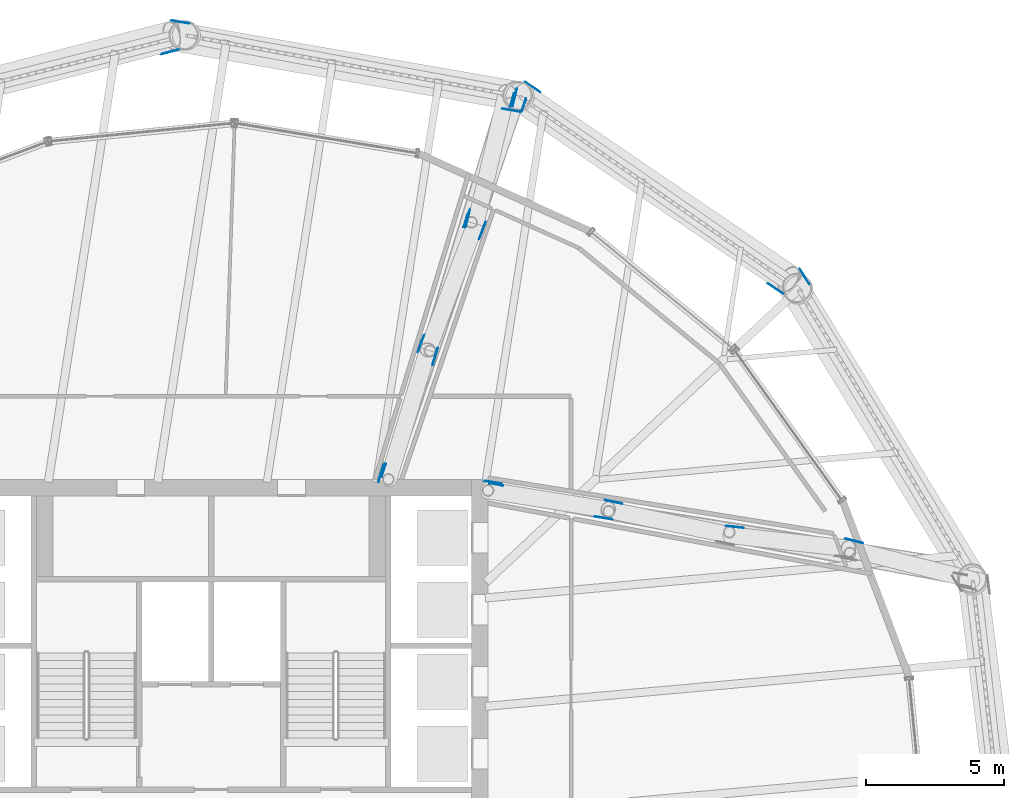
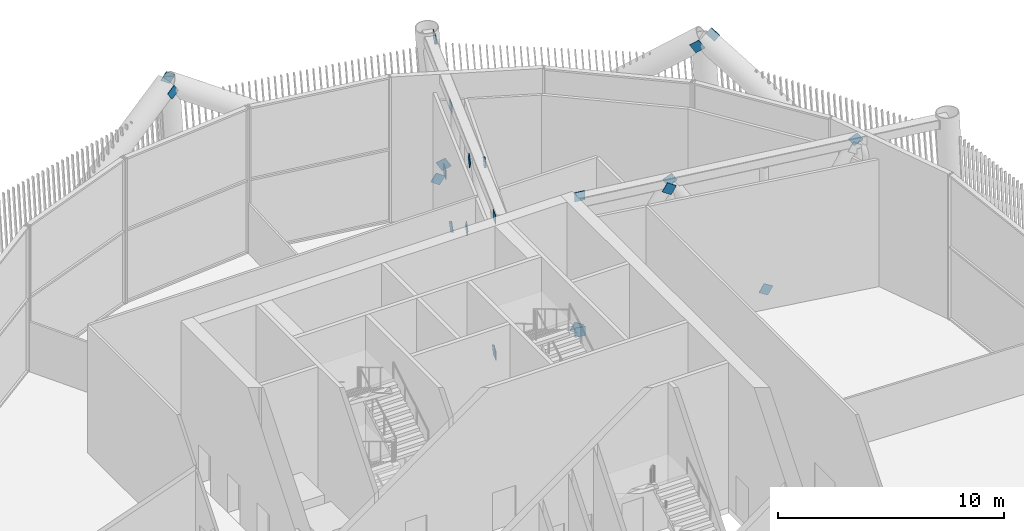
# One storey, part 43 of 55: 24 discrete accessories.
"""IFC4 building model written with IfcOpenShell, lengths in metres."""

from ifc_helpers import new_model, si_unit, direction, frame, origin, origin_2d, place, context, subcontext, project, spatial, rectangle, extrude, material, material_profile, profile_set, type_object, element, save


model = new_model("IFC4")

# Units and contexts
model_context = context("Model", 3, precision=1e-05, world=origin(), true_north=direction((0.0, 1.0)))
body_context = subcontext(model_context, "Body", "Model", "MODEL_VIEW")
ifc_project = project(units=[si_unit("LENGTHUNIT", "METRE"), si_unit("AREAUNIT", "SQUARE_METRE"), si_unit("VOLUMEUNIT", "CUBIC_METRE"), si_unit("PLANEANGLEUNIT", "RADIAN"), si_unit("MASSUNIT", "GRAM", prefix="KILO")], contexts=[model_context])

# Site, building, storey
site_placement = place(None, origin())
site = spatial("IfcSite", under=ifc_project, at=site_placement, CompositionType="ELEMENT")
building_placement = place(site_placement, origin())
building = spatial("IfcBuilding", under=site, at=building_placement, Name="Tarsis Ring Headquarters", CompositionType="ELEMENT")
storey_placement = place(building_placement, frame((0.0, 0.0, 247.199951171875)))
storey = spatial("IfcBuildingStorey", under=building, at=storey_placement, Name="L58", CompositionType="ELEMENT", Elevation=247.199951171875)

# Discrete accessories
ifc_material = material(Name="Structural steel S355", Category="steel")
ifc_material_profile = material_profile(ifc_material, rectangle(XDim=0.02490234375, YDim=0.5, at=origin_2d()), Name="PL 25x500")
ifc_profile_set = profile_set([ifc_material_profile], Name="Structural steel S355")
discrete_accessory_type_1 = type_object("IfcDiscreteAccessoryType", Name="Gusset plate Belt truss 25", PredefinedType="BRACKET", material=ifc_profile_set)
for number, where, z_axis, x_axis, name in (
    (1, (21.319091796875, 20.50732421875, 8.0), (0.441839651069, -0.722566501196, -0.53167224311), (0.853139309653, 0.521683158943, 0.0), "Gusset plate GP4"),
    (2, (11.44091796875, 27.281494140625, 0.0), (0.683478958489, -0.464765691772, 0.562893742241), (0.562310021407, 0.82692650207, 0.0), "Gusset plate GP4"),
    (3, (20.546630859375, 19.77099609375, 8.0), (-0.683926733431, 0.46473822286, -0.562372303293), (-0.562035473252, -0.827113128179, 0.0), "Gusset plate GP4"),
    (4, (11.04052734375, 26.292236328125, 0.0), (-0.834422226037, 0.145010767193, 0.531706146375), (-0.171219527347, -0.985232903153, 0.0), "Gusset plate GP4"),
):
    element("IfcDiscreteAccessory", number, at=place(storey_placement, frame(where, z_axis=z_axis, x_axis=x_axis)), inside=storey, type_object=discrete_accessory_type_1, Name=name, PredefinedType="BRACKET", context=body_context, shape_type="SweptSolid", body=[
        extrude(rectangle(XDim=0.02490234375, YDim=0.5, at=origin_2d()), origin(), (0.0, 0.0, 1.0), 0.5),
    ])
discrete_accessory_1_placement = place(storey_placement, frame((-1.327880859375, 29.551513671875, 8.0), z_axis=(0.834273834001, -0.145069864577, -0.531922836784), x_axis=(0.171316831653, 0.985215988092, 0.0)))
element("IfcDiscreteAccessory", 5, at=discrete_accessory_1_placement, inside=storey, type_object=discrete_accessory_type_1, Name="Gusset plate GP4", PredefinedType="BRACKET", context=body_context, shape_type="SweptSolid", body=[
    extrude(rectangle(XDim=0.02490234375, YDim=0.5, at=origin_2d()), origin(), (0.0, 0.0, 1.0), 0.499755859375),
])
discrete_accessory_2_placement = place(storey_placement, frame((-1.28515625, 28.485107421875, 8.0), z_axis=(-0.800479068238, -0.206590998087, -0.562630803301), x_axis=(0.249895886182, -0.968272712653, 0.0)))
element("IfcDiscreteAccessory", 6, at=discrete_accessory_2_placement, inside=storey, type_object=discrete_accessory_type_1, Name="Gusset plate GP4", PredefinedType="BRACKET", context=body_context, shape_type="SweptSolid", body=[
    extrude(rectangle(XDim=0.02490234375, YDim=0.5, at=origin_2d()), origin(), (0.0, 0.0, 1.0), 0.5),
])
discrete_accessory_type_2 = type_object("IfcDiscreteAccessoryType", Name="Gusset plate Outrigger 25", PredefinedType="BRACKET", material=ifc_profile_set)
discrete_accessory_3_placement = place(storey_placement, frame((10.050537109375, 12.913330078125, 0.254150390625), z_axis=(0.507294587244, -0.082026458765, 0.857860047919), x_axis=(0.159620763024, 0.987178409413, 0.0)))
element("IfcDiscreteAccessory", 7, at=discrete_accessory_3_placement, inside=storey, type_object=discrete_accessory_type_2, Name="Gusset plate GP1", PredefinedType="BRACKET", context=body_context, shape_type="SweptSolid", body=[
    extrude(rectangle(XDim=0.02490234375, YDim=0.5, at=origin_2d()), origin(), (0.0, 0.0, 1.0), 0.5),
])
for number, where, z_axis, x_axis, name in (
    (8, (14.285400390625, 11.587890625, 7.5859375), (-0.507527425092, 0.081575630405, -0.85776531132), (-0.158694637161, -0.987327712635, 0.0), "Gusset plate GP1"),
    (9, (14.400634765625, 12.211669921875, 7.5859375), (0.512863102746, -0.106480148951, -0.851841191609), (0.203283926984, 0.979119831803, 0.0), "Gusset plate GP1"),
):
    element("IfcDiscreteAccessory", number, at=place(storey_placement, frame(where, z_axis=z_axis, x_axis=x_axis)), inside=storey, type_object=discrete_accessory_type_2, Name=name, PredefinedType="BRACKET", context=body_context, shape_type="SweptSolid", body=[
        extrude(rectangle(XDim=0.02490234375, YDim=0.5, at=origin_2d()), origin(), (0.0, 0.0, 1.0), 0.499755859375),
    ])
discrete_accessory_4_placement = place(storey_placement, frame((18.7841796875, 11.298095703125, 0.254150390625), z_axis=(0.501496290603, -0.056155865063, 0.863335386354), x_axis=(0.111281140239, 0.993788965438, 0.0)))
element("IfcDiscreteAccessory", 10, at=discrete_accessory_4_placement, inside=storey, type_object=discrete_accessory_type_2, Name="Gusset plate GP1", PredefinedType="BRACKET", context=body_context, shape_type="SweptSolid", body=[
    extrude(rectangle(XDim=0.02490234375, YDim=0.5, at=origin_2d()), origin(), (0.0, 0.0, 1.0), 0.5),
])
discrete_accessory_5_placement = place(storey_placement, frame((23.085693359375, 10.810791015625, 7.5859375), z_axis=(0.517733617646, -0.130898688235, -0.845468766175), x_axis=(0.245117212235, 0.969493451379, 0.0)))
element("IfcDiscreteAccessory", 11, at=discrete_accessory_5_placement, inside=storey, type_object=discrete_accessory_type_2, Name="Gusset plate GP1", PredefinedType="BRACKET", context=body_context, shape_type="SweptSolid", body=[
    extrude(rectangle(XDim=0.02490234375, YDim=0.5, at=origin_2d()), origin(), (0.0, 0.0, 1.0), 0.499755859375),
])
for number, where, z_axis, x_axis, name in (
    (12, (6.0966796875, 13.0927734375, 0.254150390625), (0.162130017982, 0.530340962435, 0.832137200726), (-0.956310546585, 0.292352763781, 0.0), "Gusset plate GP1"),
    (13, (8.1328125, 17.577392578125, 7.5859375), (-0.162130017982, -0.530340962435, -0.832137200726), (0.956310546585, -0.292352763781, 0.0), "Gusset plate GP1"),
    (14, (7.532470703125, 17.781982421875, 7.5859375), (0.19531874016, 0.517594661425, -0.833034426784), (-0.935601718951, 0.353057252434, 0.0), "Gusset plate GP1"),
):
    element("IfcDiscreteAccessory", number, at=place(storey_placement, frame(where, z_axis=z_axis, x_axis=x_axis)), inside=storey, type_object=discrete_accessory_type_2, Name=name, PredefinedType="BRACKET", context=body_context, shape_type="SweptSolid", body=[
        extrude(rectangle(XDim=0.02490234375, YDim=0.5, at=origin_2d()), origin(), (0.0, 0.0, 1.0), 0.5),
    ])
discrete_accessory_6_placement = place(storey_placement, frame((9.843017578125, 22.112060546875, 0.254150390625), z_axis=(-0.195368100408, -0.517237045829, 0.833244948239), x_axis=(0.935491561565, -0.353349031753, 0.0)))
element("IfcDiscreteAccessory", 15, at=discrete_accessory_6_placement, inside=storey, type_object=discrete_accessory_type_2, Name="Gusset plate GP1", PredefinedType="BRACKET", context=body_context, shape_type="SweptSolid", body=[
    extrude(rectangle(XDim=0.02490234375, YDim=0.5, at=origin_2d()), origin(), (0.0, 0.0, 1.0), 0.499755859375),
])
for number, where, z_axis, x_axis, name in (
    (16, (9.2373046875, 22.297607421875, 0.254150390625), (0.129390798554, 0.542464819599, 0.830054179404), (-0.972712193845, 0.232015059738, 0.0), "Gusset plate GP1"),
    (17, (10.9970703125, 26.936767578125, 7.5859375), (-0.129425068191, -0.542120096952, -0.830274022359), (0.972665003005, -0.232212816033, 0.0), "Gusset plate GP1"),
):
    element("IfcDiscreteAccessory", number, at=place(storey_placement, frame(where, z_axis=z_axis, x_axis=x_axis)), inside=storey, type_object=discrete_accessory_type_2, Name=name, PredefinedType="BRACKET", context=body_context, shape_type="SweptSolid", body=[
        extrude(rectangle(XDim=0.02490234375, YDim=0.5, at=origin_2d()), origin(), (0.0, 0.0, 1.0), 0.5),
    ])
discrete_accessory_type_3 = type_object("IfcDiscreteAccessoryType", Name="Gusset plate Outrigger chord 25", PredefinedType="BRACKET", material=ifc_profile_set)
for number, where, z_axis, x_axis, name in (
    (18, (10.04833984375, 12.862060546875, 0.254150390625), (0.983366083554, -0.181634648998, 0.0), (0.181634648998, 0.983366083554, 0.0), "Gusset plate GP3"),
    (19, (10.04248046875, 12.863037109375, 7.5859375), (0.98725102255, -0.159171035287, 0.0), (0.159171035287, 0.98725102255, 0.0), "Gusset plate GP3"),
):
    element("IfcDiscreteAccessory", number, at=place(storey_placement, frame(where, z_axis=z_axis, x_axis=x_axis)), inside=storey, type_object=discrete_accessory_type_3, Name=name, PredefinedType="BRACKET", context=body_context, shape_type="SweptSolid", body=[
        extrude(rectangle(XDim=0.02490234375, YDim=0.5, at=origin_2d()), origin(), (0.0, 0.0, 1.0), 0.5),
    ])
discrete_accessory_7_placement = place(storey_placement, frame((6.147705078125, 13.0859375, 0.254150390625), z_axis=(0.322663988673, 0.946513576455, 0.0), x_axis=(-0.946513576455, 0.322663988673, 0.0)))
element("IfcDiscreteAccessory", 20, at=discrete_accessory_7_placement, inside=storey, type_object=discrete_accessory_type_3, Name="Gusset plate GP3", PredefinedType="BRACKET", context=body_context, shape_type="SweptSolid", body=[
    extrude(rectangle(XDim=0.02490234375, YDim=0.5, at=origin_2d()), origin(), (0.0, 0.0, 1.0), 0.500244140625),
])
discrete_accessory_8_placement = place(storey_placement, frame((11.371337890625, 26.75, 0.254150390625), z_axis=(-0.322813135981, -0.946462719413, 0.0), x_axis=(0.946462719413, -0.322813135981, 0.0)))
element("IfcDiscreteAccessory", 21, at=discrete_accessory_8_placement, inside=storey, type_object=discrete_accessory_type_3, Name="Gusset plate GP3", PredefinedType="BRACKET", context=body_context, shape_type="SweptSolid", body=[
    extrude(rectangle(XDim=0.02490234375, YDim=0.5, at=origin_2d()), origin(), (0.0, 0.0, 1.0), 0.5),
])
discrete_accessory_9_placement = place(storey_placement, frame((6.145263671875, 13.077880859375, 7.5859375), z_axis=(0.292404559317, 0.956294710688, 0.0), x_axis=(-0.956294710688, 0.292404559317, 0.0)))
element("IfcDiscreteAccessory", 22, at=discrete_accessory_9_placement, inside=storey, type_object=discrete_accessory_type_3, Name="Gusset plate GP3", PredefinedType="BRACKET", context=body_context, shape_type="SweptSolid", body=[
    extrude(rectangle(XDim=0.02490234375, YDim=0.5, at=origin_2d()), origin(), (0.0, 0.0, 1.0), 0.500244140625),
])
for number, where, z_axis, x_axis, name in (
    (23, (10.943115234375, 26.932373046875, 7.5859375), (-0.292541120261, -0.956252944025, 0.0), (0.956252944025, -0.292541120261, 0.0), "Gusset plate GP3"),
    (24, (9.1962890625, 22.34521484375, 7.33203125), (0.0, 0.0, -1.0), (-0.95621104921, 0.292678030212, 0.0), "Gusset plate GP3"),
):
    element("IfcDiscreteAccessory", number, at=place(storey_placement, frame(where, z_axis=z_axis, x_axis=x_axis)), inside=storey, type_object=discrete_accessory_type_3, Name=name, PredefinedType="BRACKET", context=body_context, shape_type="SweptSolid", body=[
        extrude(rectangle(XDim=0.02490234375, YDim=0.5, at=origin_2d()), origin(), (0.0, 0.0, 1.0), 0.5),
    ])

save(model, "model.ifc")
